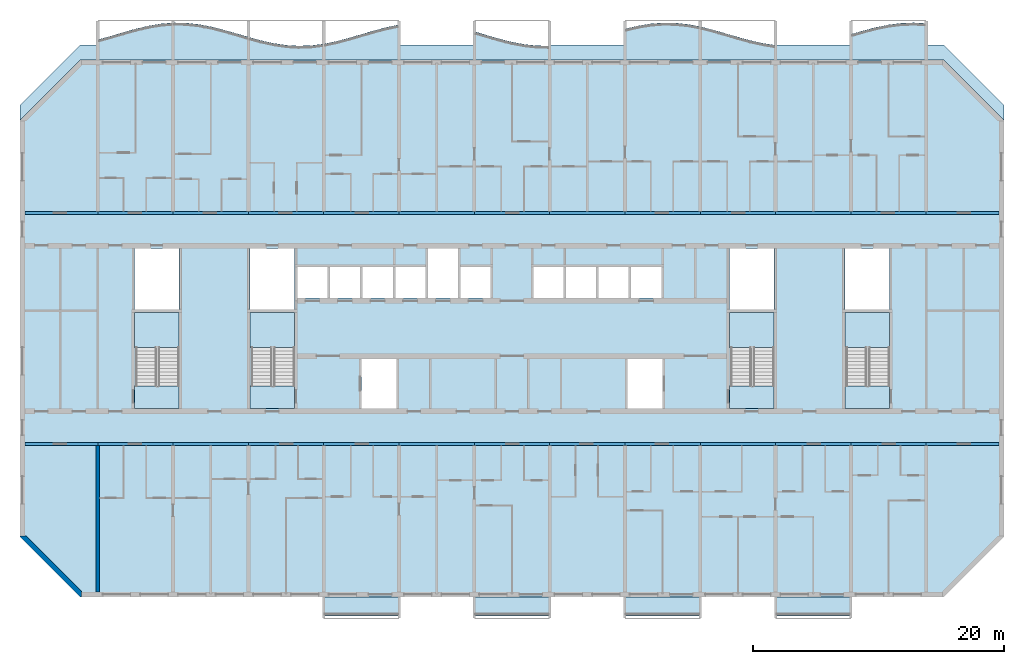
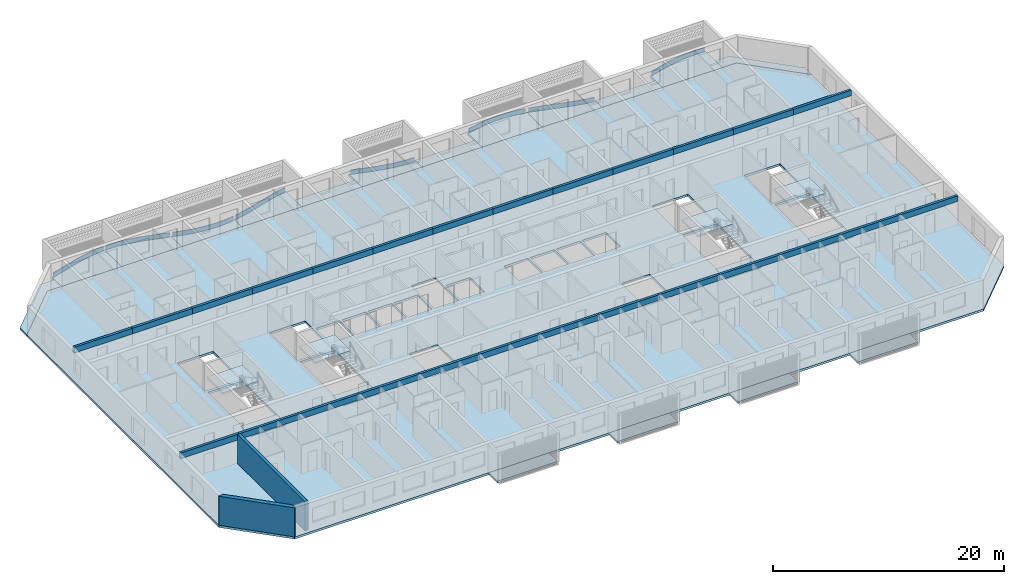
# One storey, part 1 of 32: 26 beams, 26 slabs, 8 plates, 2 walls, 4 elements without a shape of their own.
"""IFC4 building model written with IfcOpenShell, lengths in metres."""

from ifc_helpers import new_model, si_unit, direction, frame, frame_2d, origin, origin_2d, place, context, subcontext, project, spatial, polyline, rectangle, outline, extrude, source, transform, mapped, material, layer, layer_set, material_profile, profile_set, type_object, element, aggregate, save


model = new_model("IFC4")

# Units and contexts
model_context = context("Model", 3, precision=1e-05, world=origin(), true_north=direction((0.0, 1.0)))
body_context = subcontext(model_context, "Body", "Model", "MODEL_VIEW")
ifc_project = project(units=[si_unit("LENGTHUNIT", "METRE"), si_unit("AREAUNIT", "SQUARE_METRE"), si_unit("VOLUMEUNIT", "CUBIC_METRE"), si_unit("PLANEANGLEUNIT", "RADIAN"), si_unit("MASSUNIT", "GRAM", prefix="KILO")], contexts=[model_context])

# Site, building, storey
site_placement = place(None, origin())
site = spatial("IfcSite", under=ifc_project, at=site_placement, CompositionType="ELEMENT")
building_placement = place(site_placement, origin())
building = spatial("IfcBuilding", under=site, at=building_placement, Name="Poui Terraces", CompositionType="ELEMENT")
storey_placement = place(building_placement, frame((0.0, 0.0, 122.39990234375)))
storey = spatial("IfcBuildingStorey", under=building, at=storey_placement, Name="L33", CompositionType="ELEMENT", Elevation=122.39990234375)

# Beams
ifc_material_1 = material(Name="Concrete 65 MPa", Category="concrete")
ifc_material_profile = material_profile(ifc_material_1, rectangle(XDim=0.25, YDim=0.60009765625, at=origin_2d()), Name="RC 250x600")
ifc_profile_set = profile_set([ifc_material_profile], Name="Concrete 65 MPa")
beam_type = type_object("IfcBeamType", Name="COUPLING BEAM 250x600 65MPa", PredefinedType="BEAM", material=ifc_profile_set)
shared_shape_1 = source(origin(), body_context, "Body", "SweptSolid", [
    extrude(rectangle(XDim=0.25, YDim=0.60009765625, at=origin_2d()), origin(), (0.0, 0.0, 1.0), 5.800048828125),
])
for number, where, z_axis, x_axis, name in (
    (1, (12.199951171875, 12.0, 2.77001953125), (1.0, 0.0, 0.0), (0.0, 1.0, 0.0), "COUPLING BEAM LINE B BAY 1"),
    (2, (84.0, 12.0, 2.77001953125), (1.0, 0.0, 0.0), (0.0, 1.0, 0.0), "COUPLING BEAM LINE B BAY 13"),
    (3, (12.199951171875, 30.39990234375, 2.77001953125), (1.0, 0.0, 0.0), (0.0, 1.0, 0.0), "COUPLING BEAM LINE E BAY 1"),
    (4, (84.0, 30.39990234375, 2.77001953125), (1.0, 0.0, 0.0), (0.0, 1.0, 0.0), "COUPLING BEAM LINE E BAY 13"),
):
    element("IfcBeam", number, at=place(storey_placement, frame(where, z_axis=z_axis, x_axis=x_axis)), inside=storey, type_object=beam_type, Name=name, PredefinedType="BEAM", context=body_context, shape_type="MappedRepresentation", body=[
        mapped(shared_shape_1, transform((0.0, 0.0, 0.0))),
    ])
shared_shape_2 = source(origin(), body_context, "Body", "SweptSolid", [
    extrude(rectangle(XDim=0.25, YDim=0.60009765625, at=origin_2d()), origin(), (0.0, 0.0, 1.0), 6.0),
])
for number, where, z_axis, x_axis, name in (
    (5, (18.0, 12.0, 2.77001953125), (1.0, 0.0, 0.0), (0.0, 1.0, 0.0), "COUPLING BEAM LINE B BAY 2"),
    (6, (24.0, 12.0, 2.77001953125), (1.0, 0.0, 0.0), (0.0, 1.0, 0.0), "COUPLING BEAM LINE B BAY 3"),
    (7, (30.0, 12.0, 2.77001953125), (1.0, 0.0, 0.0), (0.0, 1.0, 0.0), "COUPLING BEAM LINE B BAY 4"),
    (8, (36.0, 12.0, 2.77001953125), (1.0, 0.0, 0.0), (0.0, 1.0, 0.0), "COUPLING BEAM LINE B BAY 5"),
    (9, (42.0, 12.0, 2.77001953125), (1.0, 0.0, 0.0), (0.0, 1.0, 0.0), "COUPLING BEAM LINE B BAY 6"),
    (10, (48.0, 12.0, 2.77001953125), (1.0, 0.0, 0.0), (0.0, 1.0, 0.0), "COUPLING BEAM LINE B BAY 7"),
    (11, (54.0, 12.0, 2.77001953125), (1.0, 0.0, 0.0), (0.0, 1.0, 0.0), "COUPLING BEAM LINE B BAY 8"),
    (12, (60.0, 12.0, 2.77001953125), (1.0, 0.0, 0.0), (0.0, 1.0, 0.0), "COUPLING BEAM LINE B BAY 9"),
    (13, (66.0, 12.0, 2.77001953125), (1.0, 0.0, 0.0), (0.0, 1.0, 0.0), "COUPLING BEAM LINE B BAY 10"),
    (14, (72.0, 12.0, 2.77001953125), (1.0, 0.0, 0.0), (0.0, 1.0, 0.0), "COUPLING BEAM LINE B BAY 11"),
    (15, (78.0, 12.0, 2.77001953125), (1.0, 0.0, 0.0), (0.0, 1.0, 0.0), "COUPLING BEAM LINE B BAY 12"),
    (16, (18.0, 30.39990234375, 2.77001953125), (1.0, 0.0, 0.0), (0.0, 1.0, 0.0), "COUPLING BEAM LINE E BAY 2"),
    (17, (24.0, 30.39990234375, 2.77001953125), (1.0, 0.0, 0.0), (0.0, 1.0, 0.0), "COUPLING BEAM LINE E BAY 3"),
    (18, (30.0, 30.39990234375, 2.77001953125), (1.0, 0.0, 0.0), (0.0, 1.0, 0.0), "COUPLING BEAM LINE E BAY 4"),
    (19, (36.0, 30.39990234375, 2.77001953125), (1.0, 0.0, 0.0), (0.0, 1.0, 0.0), "COUPLING BEAM LINE E BAY 5"),
    (20, (42.0, 30.39990234375, 2.77001953125), (1.0, 0.0, 0.0), (0.0, 1.0, 0.0), "COUPLING BEAM LINE E BAY 6"),
    (21, (48.0, 30.39990234375, 2.77001953125), (1.0, 0.0, 0.0), (0.0, 1.0, 0.0), "COUPLING BEAM LINE E BAY 7"),
    (22, (54.0, 30.39990234375, 2.77001953125), (1.0, 0.0, 0.0), (0.0, 1.0, 0.0), "COUPLING BEAM LINE E BAY 8"),
    (23, (60.0, 30.39990234375, 2.77001953125), (1.0, 0.0, 0.0), (0.0, 1.0, 0.0), "COUPLING BEAM LINE E BAY 9"),
    (24, (66.0, 30.39990234375, 2.77001953125), (1.0, 0.0, 0.0), (0.0, 1.0, 0.0), "COUPLING BEAM LINE E BAY 10"),
    (25, (72.0, 30.39990234375, 2.77001953125), (1.0, 0.0, 0.0), (0.0, 1.0, 0.0), "COUPLING BEAM LINE E BAY 11"),
    (26, (78.0, 30.39990234375, 2.77001953125), (1.0, 0.0, 0.0), (0.0, 1.0, 0.0), "COUPLING BEAM LINE E BAY 12"),
):
    element("IfcBeam", number, at=place(storey_placement, frame(where, z_axis=z_axis, x_axis=x_axis)), inside=storey, type_object=beam_type, Name=name, PredefinedType="BEAM", context=body_context, shape_type="MappedRepresentation", body=[
        mapped(shared_shape_2, transform((0.0, 0.0, 0.0))),
    ])

# Slabs
ifc_material_2 = material(Name="Precast concrete 40 MPa", Category="concrete")
ifc_layer_1 = layer(ifc_material_2, 0.22998046875)
ifc_layer_set_1 = layer_set([ifc_layer_1], Name="Precast concrete 40 MPa")
slab_type_1 = type_object("IfcSlabType", Name="BALCONY SLAB 230", PredefinedType="FLOOR", material=ifc_layer_set_1)
slab_1_placement = place(storey_placement, frame((0.0, 0.0, -0.22998046875)))
element("IfcSlab", 27, at=slab_1_placement, inside=storey, type_object=slab_type_1, Name="BALCONY SLAB", PredefinedType="FLOOR", context=body_context, shape_type="SweptSolid", body=[
    extrude(outline(polyline([(18.0, 42.60009765625), (24.0, 42.60009765625), (24.0, 45.543212890625), (23.0, 45.460693359375), (22.0, 45.2919921875), (21.0, 45.054931640625), (20.0, 44.7734375), (19.0, 44.4765625), (18.0, 44.195068359375), (18.0, 42.60009765625)])), origin(), (0.0, 0.0, 1.0), 0.22998046875),
])
slab_2_placement = place(storey_placement, frame((0.0, 0.0, -0.22998046875)))
element("IfcSlab", 28, at=slab_2_placement, inside=storey, type_object=slab_type_1, Name="BALCONY SLAB", PredefinedType="FLOOR", context=body_context, shape_type="SweptSolid", body=[
    extrude(outline(polyline([(24.0, 42.60009765625), (30.0, 42.60009765625), (30.0, 44.403564453125), (29.0, 44.699462890625), (28.0, 44.987548828125), (27.0, 45.23828125), (26.0, 45.426025390625), (25.0, 45.53125), (24.0, 45.543212890625), (24.0, 42.60009765625)])), origin(), (0.0, 0.0, 1.0), 0.22998046875),
])
slab_3_placement = place(storey_placement, frame((0.0, 0.0, -0.22998046875)))
element("IfcSlab", 29, at=slab_3_placement, inside=storey, type_object=slab_type_1, Name="BALCONY SLAB", PredefinedType="FLOOR", context=body_context, shape_type="SweptSolid", body=[
    extrude(outline(polyline([(30.0, 42.60009765625), (36.0, 42.60009765625), (36.0, 43.86376953125), (35.0, 43.736572265625), (34.0, 43.70068359375), (33.0, 43.760009765625), (32.0, 43.908447265625), (31.0, 44.130615234375), (30.0, 44.403564453125), (30.0, 42.60009765625)])), origin(), (0.0, 0.0, 1.0), 0.22998046875),
])
slab_4_placement = place(storey_placement, frame((0.0, 0.0, -0.22998046875)))
element("IfcSlab", 30, at=slab_4_placement, inside=storey, type_object=slab_type_1, Name="BALCONY SLAB", PredefinedType="FLOOR", context=body_context, shape_type="SweptSolid", body=[
    extrude(outline(polyline([(36.0, 42.60009765625), (42.0, 42.60009765625), (42.0, 45.38623046875), (41.0, 45.1806640625), (40.0, 44.91796875), (39.0, 44.625), (38.0, 44.33203125), (37.0, 44.0693359375), (36.0, 43.86376953125), (36.0, 42.60009765625)])), origin(), (0.0, 0.0, 1.0), 0.22998046875),
])
slab_5_placement = place(storey_placement, frame((0.0, 0.0, -0.22998046875)))
element("IfcSlab", 31, at=slab_5_placement, inside=storey, type_object=slab_type_1, Name="BALCONY SLAB", PredefinedType="FLOOR", context=body_context, shape_type="SweptSolid", body=[
    extrude(outline(polyline([(48.0, 42.60009765625), (54.0, 42.60009765625), (54.0, 43.706787109375), (53.0, 43.71875), (52.0, 43.823974609375), (51.0, 44.01171875), (50.0, 44.262451171875), (49.0, 44.550537109375), (48.0, 44.846435546875), (48.0, 42.60009765625)])), origin(), (0.0, 0.0, 1.0), 0.22998046875),
])
slab_6_placement = place(storey_placement, frame((0.0, 0.0, -0.22998046875)))
element("IfcSlab", 32, at=slab_6_placement, inside=storey, type_object=slab_type_1, Name="BALCONY SLAB", PredefinedType="FLOOR", context=body_context, shape_type="SweptSolid", body=[
    extrude(outline(polyline([(60.0, 42.60009765625), (66.0, 42.60009765625), (66.0, 45.23828125), (65.0, 45.426025390625), (64.0, 45.53125), (63.0, 45.543212890625), (62.0, 45.460693359375), (61.0, 45.2919921875), (60.0, 45.054931640625), (60.0, 42.60009765625)])), origin(), (0.0, 0.0, 1.0), 0.22998046875),
])
slab_7_placement = place(storey_placement, frame((0.0, 0.0, -0.22998046875)))
element("IfcSlab", 33, at=slab_7_placement, inside=storey, type_object=slab_type_1, Name="BALCONY SLAB", PredefinedType="FLOOR", context=body_context, shape_type="SweptSolid", body=[
    extrude(outline(polyline([(66.0, 42.60009765625), (72.0, 42.60009765625), (72.0, 43.760009765625), (71.0, 43.908447265625), (70.0, 44.130615234375), (69.0, 44.403564453125), (68.0, 44.699462890625), (67.0, 44.987548828125), (66.0, 45.23828125), (66.0, 42.60009765625)])), origin(), (0.0, 0.0, 1.0), 0.22998046875),
])
slab_8_placement = place(storey_placement, frame((0.0, 0.0, -0.22998046875)))
element("IfcSlab", 34, at=slab_8_placement, inside=storey, type_object=slab_type_1, Name="BALCONY SLAB", PredefinedType="FLOOR", context=body_context, shape_type="SweptSolid", body=[
    extrude(outline(polyline([(78.0, 42.60009765625), (84.0, 42.60009765625), (84.0, 45.489990234375), (83.0, 45.54931640625), (82.0, 45.513427734375), (81.0, 45.38623046875), (80.0, 45.1806640625), (79.0, 44.91796875), (78.0, 44.625), (78.0, 42.60009765625)])), origin(), (0.0, 0.0, 1.0), 0.22998046875),
])

# Stair, slabs
stair_type = type_object("IfcStairType", Name="EXIT STAIR 1650 65 MPA", PredefinedType="HALF_TURN_STAIR", material=ifc_material_1)
stair_1_placement = place(storey_placement, origin())
stair_1 = element("IfcStair", 35, at=stair_1_placement, inside=storey, type_object=stair_type, Name="L33 CORE STAIR EAST", PredefinedType="HALF_TURN_STAIR")
ifc_layer_2 = layer(ifc_material_1, 0.199951171875)
ifc_layer_set_2 = layer_set([ifc_layer_2], Name="Concrete 65 MPa")
slab_type_2 = type_object("IfcSlabType", Name="STAIR LANDING 200 65 MPA", PredefinedType="LANDING", material=ifc_layer_set_2)
slab_9_placement = place(storey_placement, frame((0.0, 0.0, 1.449951171875)))
slab_9 = element("IfcSlab", 36, at=slab_9_placement, type_object=slab_type_2, Name="ST-CE landing 1", PredefinedType="LANDING", context=body_context, shape_type="SweptSolid", body=[
    extrude(outline(polyline([(68.324951171875, 19.679931640625), (71.875, 19.679931640625), (71.875, 22.47509765625), (68.324951171875, 22.47509765625), (68.324951171875, 19.679931640625)])), origin(), (0.0, 0.0, 1.0), 0.2001953125),
])
slab_10_placement = place(storey_placement, frame((0.0, 0.0, -0.199951171875)))
slab_10 = element("IfcSlab", 37, at=slab_10_placement, type_object=slab_type_2, Name="ST-CE landing 2", PredefinedType="LANDING", context=body_context, shape_type="SweptSolid", body=[
    extrude(outline(polyline([(68.324951171875, 14.824951171875), (71.875, 14.824951171875), (71.875, 16.60009765625), (68.324951171875, 16.60009765625), (68.324951171875, 14.824951171875)])), origin(), (0.0, 0.0, 1.0), 0.199951171875),
])
aggregate(stair_1, [slab_9, slab_10])

stair_2_placement = place(storey_placement, origin())
stair_2 = element("IfcStair", 38, at=stair_2_placement, inside=storey, type_object=stair_type, Name="L33 CORE STAIR WEST", PredefinedType="HALF_TURN_STAIR")
slab_11_placement = place(storey_placement, frame((0.0, 0.0, 1.449951171875)))
slab_11 = element("IfcSlab", 39, at=slab_11_placement, type_object=slab_type_2, Name="ST-CW landing 1", PredefinedType="LANDING", context=body_context, shape_type="SweptSolid", body=[
    extrude(outline(polyline([(30.125, 19.679931640625), (33.675048828125, 19.679931640625), (33.675048828125, 22.47509765625), (30.125, 22.47509765625), (30.125, 19.679931640625)])), origin(), (0.0, 0.0, 1.0), 0.2001953125),
])
slab_12_placement = place(storey_placement, frame((0.0, 0.0, -0.199951171875)))
slab_12 = element("IfcSlab", 40, at=slab_12_placement, type_object=slab_type_2, Name="ST-CW landing 2", PredefinedType="LANDING", context=body_context, shape_type="SweptSolid", body=[
    extrude(outline(polyline([(30.125, 14.824951171875), (33.675048828125, 14.824951171875), (33.675048828125, 16.60009765625), (30.125, 16.60009765625), (30.125, 14.824951171875)])), origin(), (0.0, 0.0, 1.0), 0.199951171875),
])
aggregate(stair_2, [slab_11, slab_12])

stair_3_placement = place(storey_placement, origin())
stair_3 = element("IfcStair", 41, at=stair_3_placement, inside=storey, type_object=stair_type, Name="L33 TIP STAIR EAST", PredefinedType="HALF_TURN_STAIR")
slab_13_placement = place(storey_placement, frame((0.0, 0.0, 1.449951171875)))
slab_13 = element("IfcSlab", 42, at=slab_13_placement, type_object=slab_type_2, Name="ST-E landing 1", PredefinedType="LANDING", context=body_context, shape_type="SweptSolid", body=[
    extrude(outline(polyline([(77.52490234375, 19.679931640625), (81.074951171875, 19.679931640625), (81.074951171875, 22.47509765625), (77.52490234375, 22.47509765625), (77.52490234375, 19.679931640625)])), origin(), (0.0, 0.0, 1.0), 0.2001953125),
])
slab_14_placement = place(storey_placement, frame((0.0, 0.0, -0.199951171875)))
slab_14 = element("IfcSlab", 43, at=slab_14_placement, type_object=slab_type_2, Name="ST-E landing 2", PredefinedType="LANDING", context=body_context, shape_type="SweptSolid", body=[
    extrude(outline(polyline([(77.52490234375, 14.824951171875), (81.074951171875, 14.824951171875), (81.074951171875, 16.60009765625), (77.52490234375, 16.60009765625), (77.52490234375, 14.824951171875)])), origin(), (0.0, 0.0, 1.0), 0.199951171875),
])
aggregate(stair_3, [slab_13, slab_14])

stair_4_placement = place(storey_placement, origin())
stair_4 = element("IfcStair", 44, at=stair_4_placement, inside=storey, type_object=stair_type, Name="L33 TIP STAIR WEST", PredefinedType="HALF_TURN_STAIR")
slab_15_placement = place(storey_placement, frame((0.0, 0.0, 1.449951171875)))
slab_15 = element("IfcSlab", 45, at=slab_15_placement, type_object=slab_type_2, Name="ST-W landing 1", PredefinedType="LANDING", context=body_context, shape_type="SweptSolid", body=[
    extrude(outline(polyline([(20.925048828125, 19.679931640625), (24.47509765625, 19.679931640625), (24.47509765625, 22.47509765625), (20.925048828125, 22.47509765625), (20.925048828125, 19.679931640625)])), origin(), (0.0, 0.0, 1.0), 0.2001953125),
])
slab_16_placement = place(storey_placement, frame((0.0, 0.0, -0.199951171875)))
slab_16 = element("IfcSlab", 46, at=slab_16_placement, type_object=slab_type_2, Name="ST-W landing 2", PredefinedType="LANDING", context=body_context, shape_type="SweptSolid", body=[
    extrude(outline(polyline([(20.925048828125, 14.824951171875), (24.47509765625, 14.824951171875), (24.47509765625, 16.60009765625), (20.925048828125, 16.60009765625), (20.925048828125, 14.824951171875)])), origin(), (0.0, 0.0, 1.0), 0.199951171875),
])
aggregate(stair_4, [slab_15, slab_16])

# Plates
ifc_layer_3 = layer(ifc_material_2, 0.080078125)
ifc_layer_set_3 = layer_set([ifc_layer_3], Name="Precast concrete 40 MPa")
plate_type = type_object("IfcPlateType", Name="SUNSHADE UPSTAND 80", PredefinedType="SHEET", material=ifc_layer_set_3)
plate_1_placement = place(storey_placement, origin())
element("IfcPlate", 47, at=plate_1_placement, inside=storey, type_object=plate_type, Name="SUNSHADE UPSTAND", PredefinedType="SHEET", context=body_context, shape_type="SweptSolid", body=[
    extrude(outline(polyline([(18.989013671875, 44.469970703125), (18.114013671875, 44.221923828125), (18.135986328125, 44.14501953125), (19.010986328125, 44.393310546875), (20.010986328125, 44.68994140625), (21.010009765625, 44.97119140625), (22.008056640625, 45.2080078125), (23.005126953125, 45.3759765625), (23.87841796875, 45.453125), (23.87158203125, 45.53271484375), (23.833251953125, 45.529541015625), (22.994873046875, 45.455322265625), (21.991943359375, 45.286376953125), (20.989990234375, 45.048583984375), (19.989013671875, 44.766845703125), (18.989013671875, 44.469970703125)])), origin(), (0.0, 0.0, 1.0), 0.4501953125),
])
plate_2_placement = place(storey_placement, origin())
element("IfcPlate", 48, at=plate_2_placement, inside=storey, type_object=plate_type, Name="SUNSHADE UPSTAND", PredefinedType="SHEET", context=body_context, shape_type="SweptSolid", body=[
    extrude(outline(polyline([(25.00244140625, 45.5263671875), (24.166015625, 45.541259765625), (24.125732421875, 45.541748046875), (24.124267578125, 45.4619140625), (24.99755859375, 45.4462890625), (25.994140625, 45.341552734375), (26.991455078125, 45.154296875), (27.989501953125, 44.90380859375), (28.98876953125, 44.615966796875), (29.863525390625, 44.356689453125), (29.886474609375, 44.433349609375), (29.01123046875, 44.69287109375), (28.010498046875, 44.981201171875), (27.008544921875, 45.232421875), (26.005859375, 45.420654296875), (25.00244140625, 45.5263671875)])), origin(), (0.0, 0.0, 1.0), 0.4501953125),
])
plate_3_placement = place(storey_placement, origin())
element("IfcPlate", 49, at=plate_3_placement, inside=storey, type_object=plate_type, Name="SUNSHADE UPSTAND", PredefinedType="SHEET", context=body_context, shape_type="SweptSolid", body=[
    extrude(outline(polyline([(31.009521484375, 44.12451171875), (30.135498046875, 44.361328125), (30.114501953125, 44.283935546875), (30.990478515625, 44.046875), (31.99267578125, 43.82421875), (32.995849609375, 43.67529296875), (33.99951171875, 43.61572265625), (35.003173828125, 43.651611328125), (35.8798828125, 43.758544921875), (35.8701171875, 43.837890625), (34.996826171875, 43.7314453125), (34.00048828125, 43.69580078125), (33.004150390625, 43.7548828125), (32.00732421875, 43.90283203125), (31.009521484375, 44.12451171875)])), origin(), (0.0, 0.0, 1.0), 0.4501953125),
])
plate_4_placement = place(storey_placement, origin())
element("IfcPlate", 50, at=plate_4_placement, inside=storey, type_object=plate_type, Name="SUNSHADE UPSTAND", PredefinedType="SHEET", context=body_context, shape_type="SweptSolid", body=[
    extrude(outline(polyline([(36.99072265625, 44.063232421875), (36.11669921875, 43.879638671875), (36.13330078125, 43.801513671875), (37.00927734375, 43.9853515625), (38.0107421875, 44.24853515625), (39.01123046875, 44.54150390625), (40.0107421875, 44.83447265625), (41.00927734375, 45.0966796875), (41.88330078125, 45.2802734375), (41.86669921875, 45.358642578125), (40.99072265625, 45.174560546875), (39.9892578125, 44.91162109375), (38.98876953125, 44.618408203125), (37.9892578125, 44.32568359375), (36.99072265625, 44.063232421875)])), origin(), (0.0, 0.0, 1.0), 0.4501953125),
])
plate_5_placement = place(storey_placement, origin())
element("IfcPlate", 51, at=plate_5_placement, inside=storey, type_object=plate_type, Name="SUNSHADE UPSTAND", PredefinedType="SHEET", context=body_context, shape_type="SweptSolid", body=[
    extrude(outline(polyline([(49.01123046875, 44.5439453125), (48.136474609375, 44.803466796875), (48.113525390625, 44.726806640625), (48.98876953125, 44.46728515625), (49.989501953125, 44.1787109375), (50.991455078125, 43.927490234375), (51.994140625, 43.7392578125), (52.99755859375, 43.6337890625), (53.874267578125, 43.617919921875), (53.875732421875, 43.697998046875), (53.00244140625, 43.713623046875), (52.005859375, 43.818603515625), (51.008544921875, 44.005615234375), (50.010498046875, 44.256103515625), (49.01123046875, 44.5439453125)])), origin(), (0.0, 0.0, 1.0), 0.4501953125),
])
plate_6_placement = place(storey_placement, origin())
element("IfcPlate", 52, at=plate_6_placement, inside=storey, type_object=plate_type, Name="SUNSHADE UPSTAND", PredefinedType="SHEET", context=body_context, shape_type="SweptSolid", body=[
    extrude(outline(polyline([(60.9921875, 45.286376953125), (60.115966796875, 45.081298828125), (60.134033203125, 45.003662109375), (61.0078125, 45.2080078125), (62.0048828125, 45.3759765625), (63.00146484375, 45.458251953125), (63.997802734375, 45.4462890625), (64.994384765625, 45.341552734375), (65.867919921875, 45.181396484375), (65.882080078125, 45.260009765625), (65.005615234375, 45.420654296875), (64.002197265625, 45.5263671875), (62.99853515625, 45.538330078125), (61.9951171875, 45.455322265625), (60.9921875, 45.286376953125)])), origin(), (0.0, 0.0, 1.0), 0.4501953125),
])
plate_7_placement = place(storey_placement, origin())
element("IfcPlate", 53, at=plate_7_placement, inside=storey, type_object=plate_type, Name="SUNSHADE UPSTAND", PredefinedType="SHEET", context=body_context, shape_type="SweptSolid", body=[
    extrude(outline(polyline([(67.010498046875, 44.981201171875), (66.135009765625, 45.203857421875), (66.114990234375, 45.126220703125), (66.989501953125, 44.904052734375), (67.98876953125, 44.615966796875), (68.989013671875, 44.3203125), (69.990478515625, 44.046875), (70.99267578125, 43.82421875), (71.868896484375, 43.689453125), (71.881103515625, 43.7685546875), (71.00732421875, 43.90283203125), (70.009521484375, 44.12451171875), (69.010986328125, 44.397216796875), (68.01123046875, 44.69287109375), (67.010498046875, 44.981201171875)])), origin(), (0.0, 0.0, 1.0), 0.4501953125),
])
plate_8_placement = place(storey_placement, origin())
element("IfcPlate", 54, at=plate_8_placement, inside=storey, type_object=plate_type, Name="SUNSHADE UPSTAND", PredefinedType="SHEET", context=body_context, shape_type="SweptSolid", body=[
    extrude(outline(polyline([(78.9892578125, 44.91162109375), (78.11376953125, 44.655517578125), (78.13623046875, 44.578857421875), (79.0107421875, 44.83447265625), (80.009033203125, 45.0966796875), (81.006591796875, 45.3017578125), (82.003173828125, 45.4287109375), (82.99951171875, 45.464111328125), (83.872802734375, 45.41748046875), (83.877197265625, 45.497314453125), (83.850341796875, 45.498779296875), (83.00048828125, 45.544189453125), (81.996826171875, 45.50830078125), (80.993408203125, 45.380615234375), (79.990966796875, 45.174560546875), (78.9892578125, 44.91162109375)])), origin(), (0.0, 0.0, 1.0), 0.4501953125),
])

# Slabs
ifc_material_3 = material(Name="Concrete 40 MPa", Category="concrete")
ifc_layer_4 = layer(ifc_material_3, 0.22998046875)
ifc_layer_set_4 = layer_set([ifc_layer_4], Name="Concrete 40 MPa")
slab_type_3 = type_object("IfcSlabType", Name="FLOOR SLAB 230", PredefinedType="FLOOR", material=ifc_layer_set_4)
shared_shape_3 = source(origin(), body_context, "Body", "SweptSolid", [
    extrude(outline(polyline([(0.0, 0.0), (4.800048828125, -4.800048828125), (73.599853515625, -4.800048828125), (78.39990234375, 0.0), (78.39990234375, 33.199951171875), (73.599853515625, 38.0), (4.800048828125, 38.0), (0.0, 33.199951171875), (0.0, 0.0)]), holes=[polyline([(27.199951171875, 10.224853515625), (27.199951171875, 14.1748046875), (30.0, 14.1748046875), (30.0, 10.224853515625), (27.199951171875, 10.224853515625)]), polyline([(9.224853515625, 17.849853515625), (12.675048828125, 17.849853515625), (12.675048828125, 12.0), (12.675048828125, 10.224853515625), (9.125, 10.224853515625), (9.125, 12.0), (9.224853515625, 12.0), (9.224853515625, 17.849853515625)]), polyline([(18.425048828125, 17.849853515625), (21.875, 17.849853515625), (21.875, 12.0), (21.875, 10.224853515625), (18.324951171875, 10.224853515625), (18.324951171875, 12.0), (18.425048828125, 12.0), (18.425048828125, 17.849853515625)]), polyline([(22.099853515625, 21.5), (24.5, 21.5), (24.5, 19.02490234375), (22.099853515625, 19.02490234375), (22.099853515625, 21.5)]), polyline([(24.699951171875, 21.5), (27.099853515625, 21.5), (27.099853515625, 19.02490234375), (24.699951171875, 19.02490234375), (24.699951171875, 21.5)]), polyline([(27.300048828125, 19.02490234375), (27.300048828125, 21.5), (29.699951171875, 21.5), (29.699951171875, 19.02490234375), (27.300048828125, 19.02490234375)]), polyline([(29.89990234375, 19.02490234375), (29.89990234375, 21.5), (32.300048828125, 21.5), (32.300048828125, 19.02490234375), (29.89990234375, 19.02490234375)]), polyline([(9.125, 18.125), (9.125, 22.974853515625), (12.675048828125, 22.974853515625), (12.675048828125, 18.125), (9.125, 18.125)]), polyline([(18.324951171875, 22.974853515625), (21.875, 22.974853515625), (21.875, 18.125), (18.324951171875, 18.125), (18.324951171875, 22.974853515625)]), polyline([(32.5, 22.974853515625), (34.89990234375, 22.974853515625), (34.89990234375, 19.02490234375), (32.5, 19.02490234375), (32.5, 22.974853515625)]), polyline([(48.39990234375, 10.224853515625), (48.39990234375, 14.1748046875), (51.199951171875, 14.1748046875), (51.199951171875, 10.224853515625), (48.39990234375, 10.224853515625)]), polyline([(56.625, 17.849853515625), (60.074951171875, 17.849853515625), (60.074951171875, 12.0), (60.074951171875, 10.224853515625), (56.52490234375, 10.224853515625), (56.52490234375, 12.0), (56.625, 12.0), (56.625, 17.849853515625)]), polyline([(65.824951171875, 17.849853515625), (69.27490234375, 17.849853515625), (69.27490234375, 12.0), (69.27490234375, 10.224853515625), (65.724853515625, 10.224853515625), (65.724853515625, 12.0), (65.824951171875, 12.0), (65.824951171875, 17.849853515625)]), polyline([(35.099853515625, 21.5), (37.5, 21.5), (37.5, 19.02490234375), (35.099853515625, 19.02490234375), (35.099853515625, 21.5)]), polyline([(40.89990234375, 21.5), (43.300048828125, 21.5), (43.300048828125, 19.02490234375), (40.89990234375, 19.02490234375), (40.89990234375, 21.5)]), polyline([(43.5, 19.02490234375), (43.5, 21.5), (45.89990234375, 21.5), (45.89990234375, 19.02490234375), (43.5, 19.02490234375)]), polyline([(46.099853515625, 19.02490234375), (46.099853515625, 21.5), (48.5, 21.5), (48.5, 19.02490234375), (46.099853515625, 19.02490234375)]), polyline([(48.699951171875, 19.02490234375), (48.699951171875, 21.5), (51.099853515625, 21.5), (51.099853515625, 19.02490234375), (48.699951171875, 19.02490234375)]), polyline([(56.52490234375, 22.974853515625), (60.074951171875, 22.974853515625), (60.074951171875, 18.125), (56.52490234375, 18.125), (56.52490234375, 22.974853515625)]), polyline([(65.724853515625, 22.974853515625), (69.27490234375, 22.974853515625), (69.27490234375, 18.125), (65.724853515625, 18.125), (65.724853515625, 22.974853515625)])]), origin(), (0.0, 0.0, 1.0), 0.22998046875),
])
slab_17_placement = place(storey_placement, frame((11.800048828125, 4.60009765625, -0.22998046875)))
element("IfcSlab", 55, at=slab_17_placement, inside=storey, type_object=slab_type_3, Name="FLOOR SLAB", PredefinedType="FLOOR", context=body_context, shape_type="MappedRepresentation", body=[
    mapped(shared_shape_3, transform((0.0, 0.0, 0.0))),
])
ifc_layer_5 = layer(ifc_material_3, 0.22998046875)
ifc_layer_set_5 = layer_set([ifc_layer_5], Name="Concrete 40 MPa")
slab_type_4 = type_object("IfcSlabType", Name="SKY GARDEN FLOOR SLAB 230", PredefinedType="FLOOR", material=ifc_layer_set_5)
shared_shape_4 = source(origin(), body_context, "Body", "SweptSolid", [
    extrude(outline(polyline([(0.0, 0.0), (0.0, 1.199951171875), (-1.39990234375, 1.199951171875), (-6.199951171875, -3.60009765625), (-6.199951171875, -4.800048828125), (-1.39990234375, 0.0), (0.0, 0.0)])), origin(), (0.0, 0.0, 1.0), 0.22998046875),
])
slab_18_placement = place(storey_placement, frame((18.0, 42.60009765625, -0.22998046875)))
element("IfcSlab", 56, at=slab_18_placement, inside=storey, type_object=slab_type_4, Name="SKY GARDEN ROOF SLAB", PredefinedType="FLOOR", context=body_context, shape_type="MappedRepresentation", body=[
    mapped(shared_shape_4, transform((0.0, 0.0, 0.0))),
])
ifc_layer_6 = layer(ifc_material_2, 0.199951171875)
ifc_layer_set_6 = layer_set([ifc_layer_6], Name="Precast concrete 40 MPa")
slab_type_5 = type_object("IfcSlabType", Name="REAR BALCONY SLAB 200", PredefinedType="FLOOR", material=ifc_layer_set_6)
shared_shape_5 = source(origin(), body_context, "Body", "SweptSolid", [
    extrude(outline(polyline([(0.0, 0.0), (6.0, 0.0), (6.0, 1.5), (0.0, 1.5), (0.0, 0.0)])), origin(), (0.0, 0.0, 1.0), 0.199951171875),
])
for number, where, name in (
    (57, (36.0, -1.699951171875, -0.199951171875), "REAR BALCONY SLAB"),
    (58, (48.0, -1.699951171875, -0.199951171875), "REAR BALCONY SLAB"),
    (59, (60.0, -1.699951171875, -0.199951171875), "REAR BALCONY SLAB"),
    (60, (72.0, -1.699951171875, -0.199951171875), "REAR BALCONY SLAB"),
):
    element("IfcSlab", number, at=place(storey_placement, frame(where)), inside=storey, type_object=slab_type_5, Name=name, PredefinedType="FLOOR", context=body_context, shape_type="MappedRepresentation", body=[
        mapped(shared_shape_5, transform((0.0, 0.0, 0.0))),
    ])
shared_shape_6 = source(origin(), body_context, "Body", "SweptSolid", [
    extrude(outline(polyline([(0.0, 0.0), (0.0, 1.199951171875), (-6.0, 1.199951171875), (-6.0, 0.0), (0.0, 0.0)])), origin(), (0.0, 0.0, 1.0), 0.22998046875),
])
for number, where, name in (
    (61, (48.0, 42.60009765625, -0.22998046875), "SKY GARDEN ROOF SLAB"),
    (62, (60.0, 42.60009765625, -0.22998046875), "SKY GARDEN ROOF SLAB"),
    (63, (78.0, 42.60009765625, -0.22998046875), "SKY GARDEN ROOF SLAB"),
):
    element("IfcSlab", number, at=place(storey_placement, frame(where)), inside=storey, type_object=slab_type_4, Name=name, PredefinedType="FLOOR", context=body_context, shape_type="MappedRepresentation", body=[
        mapped(shared_shape_6, transform((0.0, 0.0, 0.0))),
    ])
shared_shape_7 = source(origin(), body_context, "Body", "SweptSolid", [
    extrude(outline(polyline([(0.0, 0.0), (0.0, -1.199951171875), (1.39990234375, -1.199951171875), (6.199951171875, -6.0), (6.199951171875, -4.800048828125), (1.39990234375, 0.0), (0.0, 0.0)])), origin(), (0.0, 0.0, 1.0), 0.22998046875),
])
slab_19_placement = place(storey_placement, frame((84.0, 43.800048828125, -0.22998046875)))
element("IfcSlab", 64, at=slab_19_placement, inside=storey, type_object=slab_type_4, Name="SKY GARDEN ROOF SLAB", PredefinedType="FLOOR", context=body_context, shape_type="MappedRepresentation", body=[
    mapped(shared_shape_7, transform((0.0, 0.0, 0.0))),
])

# Walls
ifc_layer_7 = layer(ifc_material_1, 0.300048828125)
ifc_layer_set_7 = layer_set([ifc_layer_7], Name="Concrete 65 MPa")
wall_type_1 = type_object("IfcWallType", Name="CROSS WALL 300 65MPa", PredefinedType="SHEAR", material=ifc_layer_set_7)
wall_1_placement = place(storey_placement, frame((18.0, 0.199951171875, 0.0), z_axis=(0.0, 0.0, 1.0), x_axis=(0.0, 1.0, 0.0)))
element("IfcWall", 65, at=wall_1_placement, inside=storey, type_object=wall_type_1, Name="CROSS WALL LINE 4 SOUTH", PredefinedType="SHEAR", context=body_context, shape_type="SweptSolid", body=[
    extrude(rectangle(XDim=11.675048828125, YDim=0.300048828125, at=frame_2d((5.83740234375, 0.0))), origin(), (0.0, 0.0, 1.0), 3.070068359375),
])
ifc_layer_8 = layer(ifc_material_2, 0.39990234375)
ifc_layer_set_8 = layer_set([ifc_layer_8], Name="Precast concrete 40 MPa")
wall_type_2 = type_object("IfcWallType", Name="TERRACOTTA CLAD CHAMFER WALL 400", PredefinedType="STANDARD", material=ifc_layer_set_8)
wall_2_placement = place(storey_placement, origin())
element("IfcWall", 66, at=wall_2_placement, inside=storey, type_object=wall_type_2, Name="CHAMFER WALL CH07", PredefinedType="STANDARD", context=body_context, shape_type="SweptSolid", body=[
    extrude(outline(polyline([(11.800048828125, 4.682861328125), (11.800048828125, 4.60009765625), (16.60009765625, -0.199951171875), (16.682861328125, -0.199951171875), (16.682861328125, 0.28271484375), (12.28271484375, 4.682861328125), (11.800048828125, 4.682861328125)])), origin(), (0.0, 0.0, 1.0), 3.070068359375),
])

save(model, "model.ifc")
